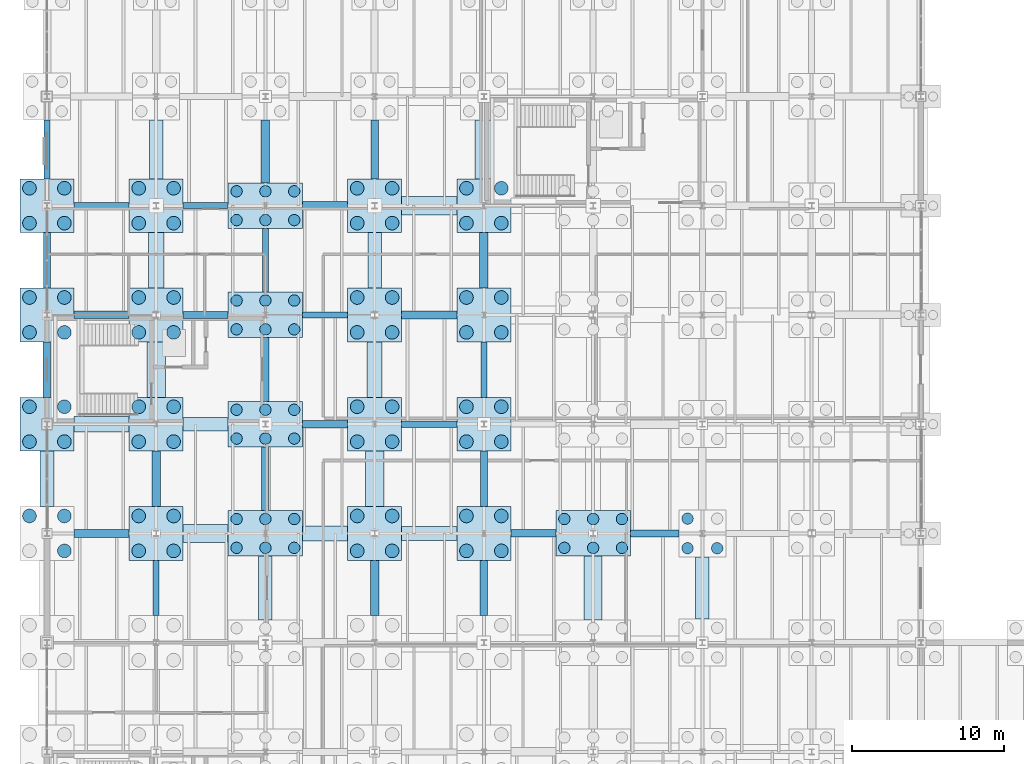
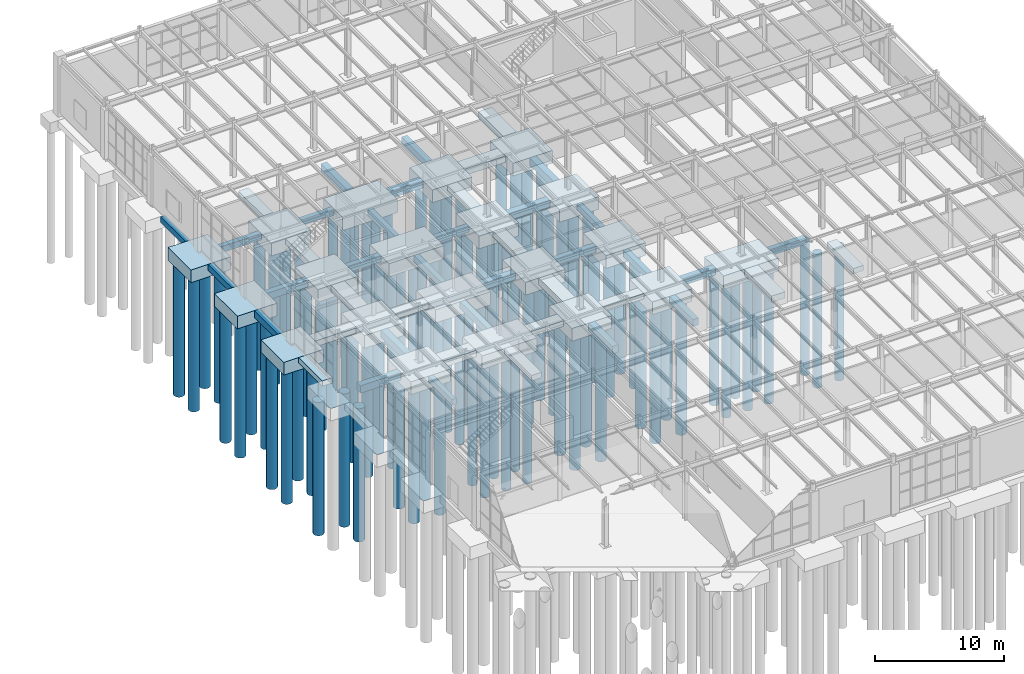
# One storey, part 3 of 293: 96 piles, 64 footings.
"""IFC4 building model written with IfcOpenShell, lengths in metres."""

from ifc_helpers import new_model, si_unit, direction, frame, origin, origin_2d, place, context, subcontext, project, spatial, rectangle, circle, extrude, material, material_profile, profile_set, type_object, element, save


model = new_model("IFC4")

# Units and contexts
model_context = context("Model", 3, precision=1e-05, world=origin(), true_north=direction((0.0, 1.0)))
body_context = subcontext(model_context, "Body", "Model", "MODEL_VIEW")
ifc_project = project(units=[si_unit("LENGTHUNIT", "METRE"), si_unit("AREAUNIT", "SQUARE_METRE"), si_unit("VOLUMEUNIT", "CUBIC_METRE"), si_unit("PLANEANGLEUNIT", "RADIAN"), si_unit("MASSUNIT", "GRAM", prefix="KILO")], contexts=[model_context])

# Site, building, storey
site_placement = place(None, origin())
site = spatial("IfcSite", under=ifc_project, at=site_placement, CompositionType="ELEMENT")
building_placement = place(site_placement, origin())
building = spatial("IfcBuilding", under=site, at=building_placement, Name="Kemerveld Promenade Tramway Depot", CompositionType="ELEMENT")
storey_placement = place(building_placement, origin())
storey = spatial("IfcBuildingStorey", under=building, at=storey_placement, Name="L00", CompositionType="ELEMENT", Elevation=0.0)

# Footings
ifc_material = material(Name="Concrete C35/45", Category="concrete")
footing_type_1 = type_object("IfcFootingType", Name="FT-GB01", PredefinedType="FOOTING_BEAM", material=ifc_material)
for number, where, z_axis, x_axis, name in (
    (1, (32.0625, 36.0, -0.949951171875), (0.0, 0.0, 1.0), (1.0, 0.0, 0.0), "GBX-05-06-F"),
    (2, (18.33740234375, 43.199951171875, -0.949951171875), (0.0, 0.0, 1.0), (1.0, 0.0, 0.0), "GBX-03-04-G"),
):
    element("IfcFooting", number, at=place(storey_placement, frame(where, z_axis=z_axis, x_axis=x_axis)), inside=storey, type_object=footing_type_1, Name=name, PredefinedType="FOOTING_BEAM", context=body_context, shape_type="SweptSolid", body=[
        extrude(rectangle(XDim=2.97509765625, YDim=0.5, at=origin_2d()), origin(), (0.0, 0.0, 1.0), 0.64990234375),
    ])
for number, where, z_axis, x_axis, name in (
    (3, (3.60009765625, 50.39990234375, -0.949951171875), (0.0, 0.0, 1.0), (1.0, 0.0, 0.0), "GBX-01-02-H"),
    (4, (0.0, 46.800048828125, -0.949951171875), (0.0, 0.0, 1.0), (0.0, 1.0, 0.0), "GBY-01-G-H"),
):
    element("IfcFooting", number, at=place(storey_placement, frame(where, z_axis=z_axis, x_axis=x_axis)), inside=storey, type_object=footing_type_1, Name=name, PredefinedType="FOOTING_BEAM", context=body_context, shape_type="SweptSolid", body=[
        extrude(rectangle(XDim=3.64990234375, YDim=0.5, at=origin_2d()), origin(), (0.0, 0.0, 1.0), 0.64990234375),
    ])
footing_1_placement = place(storey_placement, frame((14.39990234375, 39.60009765625, -0.949951171875), z_axis=(0.0, 0.0, 1.0), x_axis=(0.0, 1.0, 0.0)))
element("IfcFooting", 5, at=footing_1_placement, inside=storey, type_object=footing_type_1, Name="GBY-03-F-G", PredefinedType="FOOTING_BEAM", context=body_context, shape_type="SweptSolid", body=[
    extrude(rectangle(XDim=4.199951171875, YDim=0.5, at=origin_2d()), origin(), (0.0, 0.0, 1.0), 0.64990234375),
])
footing_2_placement = place(storey_placement, frame((21.60009765625, 61.3125, -0.949951171875), z_axis=(0.0, 0.0, 1.0), x_axis=(0.0, 1.0, 0.0)))
element("IfcFooting", 6, at=footing_2_placement, inside=storey, type_object=footing_type_1, Name="GBY-04-J-K", PredefinedType="FOOTING_BEAM", context=body_context, shape_type="SweptSolid", body=[
    extrude(rectangle(XDim=3.875, YDim=0.5, at=origin_2d()), origin(), (0.0, 0.0, 1.0), 0.64990234375),
])
footing_3_placement = place(storey_placement, frame((28.800048828125, 32.39990234375, -0.949951171875), z_axis=(0.0, 0.0, 1.0), x_axis=(0.0, 1.0, 0.0)))
element("IfcFooting", 7, at=footing_3_placement, inside=storey, type_object=footing_type_1, Name="GBY-05-E-F", PredefinedType="FOOTING_BEAM", context=body_context, shape_type="SweptSolid", body=[
    extrude(rectangle(XDim=3.64990234375, YDim=0.5, at=origin_2d()), origin(), (0.0, 0.0, 1.0), 0.64990234375),
])
footing_type_2 = type_object("IfcFootingType", Name="FT-GB02", PredefinedType="FOOTING_BEAM", material=ifc_material)
footing_4_placement = place(storey_placement, frame((40.050048828125, 36.0, -0.900146484375), z_axis=(0.0, 0.0, 1.0), x_axis=(1.0, 0.0, 0.0)))
element("IfcFooting", 8, at=footing_4_placement, inside=storey, type_object=footing_type_2, Name="GBX-06-07-F", PredefinedType="FOOTING_BEAM", context=body_context, shape_type="SweptSolid", body=[
    extrude(rectangle(XDim=3.199951171875, YDim=0.449951171875, at=origin_2d()), origin(), (0.0, 0.0, 1.0), 0.60009765625),
])
footing_5_placement = place(storey_placement, frame((25.199951171875, 43.199951171875, -0.900146484375), z_axis=(0.0, 0.0, 1.0), x_axis=(1.0, 0.0, 0.0)))
element("IfcFooting", 9, at=footing_5_placement, inside=storey, type_object=footing_type_2, Name="GBX-04-05-G", PredefinedType="FOOTING_BEAM", context=body_context, shape_type="SweptSolid", body=[
    extrude(rectangle(XDim=3.64990234375, YDim=0.449951171875, at=origin_2d()), origin(), (0.0, 0.0, 1.0), 0.60009765625),
])
footing_6_placement = place(storey_placement, frame((10.46240234375, 50.39990234375, -0.900146484375), z_axis=(0.0, 0.0, 1.0), x_axis=(1.0, 0.0, 0.0)))
element("IfcFooting", 10, at=footing_6_placement, inside=storey, type_object=footing_type_2, Name="GBX-02-03-H", PredefinedType="FOOTING_BEAM", context=body_context, shape_type="SweptSolid", body=[
    extrude(rectangle(XDim=2.97509765625, YDim=0.449951171875, at=origin_2d()), origin(), (0.0, 0.0, 1.0), 0.60009765625),
])
for number, where, z_axis, x_axis, name in (
    (11, (3.60009765625, 57.60009765625, -0.900146484375), (0.0, 0.0, 1.0), (1.0, 0.0, 0.0), "GBX-01-02-J"),
    (12, (0.0, 54.0, -0.900146484375), (0.0, 0.0, 1.0), (0.0, 1.0, 0.0), "GBY-01-H-J"),
):
    element("IfcFooting", number, at=place(storey_placement, frame(where, z_axis=z_axis, x_axis=x_axis)), inside=storey, type_object=footing_type_2, Name=name, PredefinedType="FOOTING_BEAM", context=body_context, shape_type="SweptSolid", body=[
        extrude(rectangle(XDim=3.64990234375, YDim=0.449951171875, at=origin_2d()), origin(), (0.0, 0.0, 1.0), 0.60009765625),
    ])
footing_7_placement = place(storey_placement, frame((14.39990234375, 46.800048828125, -0.900146484375), z_axis=(0.0, 0.0, 1.0), x_axis=(0.0, 1.0, 0.0)))
element("IfcFooting", 13, at=footing_7_placement, inside=storey, type_object=footing_type_2, Name="GBY-03-G-H", PredefinedType="FOOTING_BEAM", context=body_context, shape_type="SweptSolid", body=[
    extrude(rectangle(XDim=4.199951171875, YDim=0.449951171875, at=origin_2d()), origin(), (0.0, 0.0, 1.0), 0.60009765625),
])
footing_8_placement = place(storey_placement, frame((28.800048828125, 39.60009765625, -0.900146484375), z_axis=(0.0, 0.0, 1.0), x_axis=(0.0, 1.0, 0.0)))
element("IfcFooting", 14, at=footing_8_placement, inside=storey, type_object=footing_type_2, Name="GBY-05-F-G", PredefinedType="FOOTING_BEAM", context=body_context, shape_type="SweptSolid", body=[
    extrude(rectangle(XDim=3.64990234375, YDim=0.449951171875, at=origin_2d()), origin(), (0.0, 0.0, 1.0), 0.60009765625),
])
footing_type_3 = type_object("IfcFootingType", Name="FT-GB03", PredefinedType="FOOTING_BEAM", material=ifc_material)
for number, where, z_axis, x_axis, name in (
    (15, (18.33740234375, 50.39990234375, -0.85009765625), (0.0, 0.0, 1.0), (1.0, 0.0, 0.0), "GBX-03-04-H"),
    (16, (10.46240234375, 57.60009765625, -0.85009765625), (0.0, 0.0, 1.0), (1.0, 0.0, 0.0), "GBX-02-03-J"),
):
    element("IfcFooting", number, at=place(storey_placement, frame(where, z_axis=z_axis, x_axis=x_axis)), inside=storey, type_object=footing_type_3, Name=name, PredefinedType="FOOTING_BEAM", context=body_context, shape_type="SweptSolid", body=[
        extrude(rectangle(XDim=2.97509765625, YDim=0.39990234375, at=origin_2d()), origin(), (0.0, 0.0, 1.0), 0.550048828125),
    ])
footing_9_placement = place(storey_placement, frame((0.0, 61.3125, -0.85009765625), z_axis=(0.0, 0.0, 1.0), x_axis=(0.0, 1.0, 0.0)))
element("IfcFooting", 17, at=footing_9_placement, inside=storey, type_object=footing_type_3, Name="GBY-01-J-K", PredefinedType="FOOTING_BEAM", context=body_context, shape_type="SweptSolid", body=[
    extrude(rectangle(XDim=3.875, YDim=0.39990234375, at=origin_2d()), origin(), (0.0, 0.0, 1.0), 0.550048828125),
])
footing_10_placement = place(storey_placement, frame((7.199951171875, 32.39990234375, -0.85009765625), z_axis=(0.0, 0.0, 1.0), x_axis=(0.0, 1.0, 0.0)))
element("IfcFooting", 18, at=footing_10_placement, inside=storey, type_object=footing_type_3, Name="GBY-02-E-F", PredefinedType="FOOTING_BEAM", context=body_context, shape_type="SweptSolid", body=[
    extrude(rectangle(XDim=3.64990234375, YDim=0.39990234375, at=origin_2d()), origin(), (0.0, 0.0, 1.0), 0.550048828125),
])
footing_11_placement = place(storey_placement, frame((14.39990234375, 54.0, -0.85009765625), z_axis=(0.0, 0.0, 1.0), x_axis=(0.0, 1.0, 0.0)))
element("IfcFooting", 19, at=footing_11_placement, inside=storey, type_object=footing_type_3, Name="GBY-03-H-J", PredefinedType="FOOTING_BEAM", context=body_context, shape_type="SweptSolid", body=[
    extrude(rectangle(XDim=4.199951171875, YDim=0.39990234375, at=origin_2d()), origin(), (0.0, 0.0, 1.0), 0.550048828125),
])
footing_12_placement = place(storey_placement, frame((28.800048828125, 46.800048828125, -0.85009765625), z_axis=(0.0, 0.0, 1.0), x_axis=(0.0, 1.0, 0.0)))
element("IfcFooting", 20, at=footing_12_placement, inside=storey, type_object=footing_type_3, Name="GBY-05-G-H", PredefinedType="FOOTING_BEAM", context=body_context, shape_type="SweptSolid", body=[
    extrude(rectangle(XDim=3.64990234375, YDim=0.39990234375, at=origin_2d()), origin(), (0.0, 0.0, 1.0), 0.550048828125),
])
footing_type_4 = type_object("IfcFootingType", Name="FT-GB04", PredefinedType="FOOTING_BEAM", material=ifc_material)
for number, where, z_axis, x_axis, name in (
    (21, (3.60009765625, 36.0, -1.0), (0.0, 0.0, 1.0), (1.0, 0.0, 0.0), "GBX-01-02-F"),
    (22, (25.199951171875, 50.39990234375, -1.0), (0.0, 0.0, 1.0), (1.0, 0.0, 0.0), "GBX-04-05-H"),
):
    element("IfcFooting", number, at=place(storey_placement, frame(where, z_axis=z_axis, x_axis=x_axis)), inside=storey, type_object=footing_type_4, Name=name, PredefinedType="FOOTING_BEAM", context=body_context, shape_type="SweptSolid", body=[
        extrude(rectangle(XDim=3.64990234375, YDim=0.550048828125, at=origin_2d()), origin(), (0.0, 0.0, 1.0), 0.699951171875),
    ])
footing_13_placement = place(storey_placement, frame((18.33740234375, 57.60009765625, -1.0), z_axis=(0.0, 0.0, 1.0), x_axis=(1.0, 0.0, 0.0)))
element("IfcFooting", 23, at=footing_13_placement, inside=storey, type_object=footing_type_4, Name="GBX-03-04-J", PredefinedType="FOOTING_BEAM", context=body_context, shape_type="SweptSolid", body=[
    extrude(rectangle(XDim=2.97509765625, YDim=0.550048828125, at=origin_2d()), origin(), (0.0, 0.0, 1.0), 0.699951171875),
])
footing_14_placement = place(storey_placement, frame((7.199951171875, 39.60009765625, -1.0), z_axis=(0.0, 0.0, 1.0), x_axis=(0.0, 1.0, 0.0)))
element("IfcFooting", 24, at=footing_14_placement, inside=storey, type_object=footing_type_4, Name="GBY-02-F-G", PredefinedType="FOOTING_BEAM", context=body_context, shape_type="SweptSolid", body=[
    extrude(rectangle(XDim=3.64990234375, YDim=0.550048828125, at=origin_2d()), origin(), (0.0, 0.0, 1.0), 0.699951171875),
])
footing_15_placement = place(storey_placement, frame((14.39990234375, 61.175048828125, -1.0), z_axis=(0.0, 0.0, 1.0), x_axis=(0.0, 1.0, 0.0)))
element("IfcFooting", 25, at=footing_15_placement, inside=storey, type_object=footing_type_4, Name="GBY-03-J-K", PredefinedType="FOOTING_BEAM", context=body_context, shape_type="SweptSolid", body=[
    extrude(rectangle(XDim=4.14990234375, YDim=0.550048828125, at=origin_2d()), origin(), (0.0, 0.0, 1.0), 0.699951171875),
])
for number, where, z_axis, x_axis, name in (
    (26, (21.60009765625, 32.39990234375, -1.0), (0.0, 0.0, 1.0), (0.0, 1.0, 0.0), "GBY-04-E-F"),
    (27, (28.800048828125, 54.0, -1.0), (0.0, 0.0, 1.0), (0.0, 1.0, 0.0), "GBY-05-H-J"),
):
    element("IfcFooting", number, at=place(storey_placement, frame(where, z_axis=z_axis, x_axis=x_axis)), inside=storey, type_object=footing_type_4, Name=name, PredefinedType="FOOTING_BEAM", context=body_context, shape_type="SweptSolid", body=[
        extrude(rectangle(XDim=3.64990234375, YDim=0.550048828125, at=origin_2d()), origin(), (0.0, 0.0, 1.0), 0.699951171875),
    ])
footing_type_5 = type_object("IfcFootingType", Name="FT-PC03", PredefinedType="PILE_CAP", material=ifc_material)
for number, where, z_axis, x_axis, name in (
    (28, (0.0, 43.199951171875, -1.5), (0.0, 0.0, 1.0), (1.0, 0.0, 0.0), "FT-01-G"),
    (29, (0.0, 50.39990234375, -1.5), (0.0, 0.0, 1.0), (1.0, 0.0, 0.0), "FT-01-H"),
    (30, (0.0, 57.60009765625, -1.5), (0.0, 0.0, 1.0), (1.0, 0.0, 0.0), "FT-01-J"),
    (31, (7.199951171875, 36.0, -1.5), (0.0, 0.0, 1.0), (1.0, 0.0, 0.0), "FT-02-F"),
    (32, (7.199951171875, 43.199951171875, -1.5), (0.0, 0.0, 1.0), (1.0, 0.0, 0.0), "FT-02-G"),
    (33, (7.199951171875, 50.39990234375, -1.5), (0.0, 0.0, 1.0), (1.0, 0.0, 0.0), "FT-02-H"),
    (34, (7.199951171875, 57.60009765625, -1.5), (0.0, 0.0, 1.0), (1.0, 0.0, 0.0), "FT-02-J"),
    (35, (21.60009765625, 36.0, -1.5), (0.0, 0.0, 1.0), (1.0, 0.0, 0.0), "FT-04-F"),
    (36, (21.60009765625, 43.199951171875, -1.5), (0.0, 0.0, 1.0), (1.0, 0.0, 0.0), "FT-04-G"),
    (37, (21.60009765625, 50.39990234375, -1.5), (0.0, 0.0, 1.0), (1.0, 0.0, 0.0), "FT-04-H"),
    (38, (21.60009765625, 57.60009765625, -1.5), (0.0, 0.0, 1.0), (1.0, 0.0, 0.0), "FT-04-J"),
    (39, (28.800048828125, 36.0, -1.5), (0.0, 0.0, 1.0), (1.0, 0.0, 0.0), "FT-05-F"),
    (40, (28.800048828125, 43.199951171875, -1.5), (0.0, 0.0, 1.0), (1.0, 0.0, 0.0), "FT-05-G"),
    (41, (28.800048828125, 50.39990234375, -1.5), (0.0, 0.0, 1.0), (1.0, 0.0, 0.0), "FT-05-H"),
    (42, (28.800048828125, 57.60009765625, -1.5), (0.0, 0.0, 1.0), (1.0, 0.0, 0.0), "FT-05-J"),
):
    element("IfcFooting", number, at=place(storey_placement, frame(where, z_axis=z_axis, x_axis=x_axis)), inside=storey, type_object=footing_type_5, Name=name, PredefinedType="PILE_CAP", context=body_context, shape_type="SweptSolid", body=[
        extrude(rectangle(XDim=3.550048828125, YDim=3.550048828125, at=origin_2d()), origin(), (0.0, 0.0, 1.0), 1.199951171875),
    ])
footing_type_6 = type_object("IfcFootingType", Name="FT-PC10", PredefinedType="PILE_CAP", material=ifc_material)
for number, where, z_axis, x_axis, name in (
    (43, (14.39990234375, 36.0, -1.550048828125), (0.0, 0.0, 1.0), (1.0, 0.0, 0.0), "FT-03-F"),
    (44, (14.39990234375, 43.199951171875, -1.550048828125), (0.0, 0.0, 1.0), (1.0, 0.0, 0.0), "FT-03-G"),
    (45, (14.39990234375, 50.39990234375, -1.550048828125), (0.0, 0.0, 1.0), (1.0, 0.0, 0.0), "FT-03-H"),
    (46, (14.39990234375, 57.60009765625, -1.550048828125), (0.0, 0.0, 1.0), (1.0, 0.0, 0.0), "FT-03-J"),
    (47, (36.0, 36.0, -1.550048828125), (0.0, 0.0, 1.0), (1.0, 0.0, 0.0), "FT-06-F"),
):
    element("IfcFooting", number, at=place(storey_placement, frame(where, z_axis=z_axis, x_axis=x_axis)), inside=storey, type_object=footing_type_6, Name=name, PredefinedType="PILE_CAP", context=body_context, shape_type="SweptSolid", body=[
        extrude(rectangle(XDim=4.89990234375, YDim=3.0, at=origin_2d()), origin(), (0.0, 0.0, 1.0), 1.25),
    ])
footing_type_7 = type_object("IfcFootingType", Name="FT-SF01", PredefinedType="STRIP_FOOTING", material=ifc_material)
footing_16_placement = place(storey_placement, frame((10.46240234375, 36.0, -0.900146484375), z_axis=(0.0, 0.0, 1.0), x_axis=(1.0, 0.0, 0.0)))
element("IfcFooting", 48, at=footing_16_placement, inside=storey, type_object=footing_type_7, Name="GBX-02-03-F", PredefinedType="STRIP_FOOTING", context=body_context, shape_type="SweptSolid", body=[
    extrude(rectangle(XDim=2.97509765625, YDim=1.199951171875, at=origin_2d()), origin(), (0.0, 0.0, 1.0), 0.60009765625),
])
for number, where, z_axis, x_axis, name in (
    (49, (25.199951171875, 57.60009765625, -0.900146484375), (0.0, 0.0, 1.0), (1.0, 0.0, 0.0), "GBX-04-05-J"),
    (50, (7.199951171875, 46.800048828125, -0.900146484375), (0.0, 0.0, 1.0), (0.0, 1.0, 0.0), "GBY-02-G-H"),
    (51, (21.60009765625, 39.60009765625, -0.900146484375), (0.0, 0.0, 1.0), (0.0, 1.0, 0.0), "GBY-04-F-G"),
):
    element("IfcFooting", number, at=place(storey_placement, frame(where, z_axis=z_axis, x_axis=x_axis)), inside=storey, type_object=footing_type_7, Name=name, PredefinedType="STRIP_FOOTING", context=body_context, shape_type="SweptSolid", body=[
        extrude(rectangle(XDim=3.64990234375, YDim=1.199951171875, at=origin_2d()), origin(), (0.0, 0.0, 1.0), 0.60009765625),
    ])
footing_17_placement = place(storey_placement, frame((28.800048828125, 61.3125, -0.900146484375), z_axis=(0.0, 0.0, 1.0), x_axis=(0.0, 1.0, 0.0)))
element("IfcFooting", 52, at=footing_17_placement, inside=storey, type_object=footing_type_7, Name="GBY-05-J-K", PredefinedType="STRIP_FOOTING", context=body_context, shape_type="SweptSolid", body=[
    extrude(rectangle(XDim=3.875, YDim=1.199951171875, at=origin_2d()), origin(), (0.0, 0.0, 1.0), 0.60009765625),
])
footing_18_placement = place(storey_placement, frame((36.0, 32.39990234375, -0.900146484375), z_axis=(0.0, 0.0, 1.0), x_axis=(0.0, 1.0, 0.0)))
element("IfcFooting", 53, at=footing_18_placement, inside=storey, type_object=footing_type_7, Name="GBY-06-E-F", PredefinedType="STRIP_FOOTING", context=body_context, shape_type="SweptSolid", body=[
    extrude(rectangle(XDim=4.199951171875, YDim=1.199951171875, at=origin_2d()), origin(), (0.0, 0.0, 1.0), 0.60009765625),
])
footing_type_8 = type_object("IfcFootingType", Name="FT-SF02", PredefinedType="STRIP_FOOTING", material=ifc_material)
footing_19_placement = place(storey_placement, frame((18.33740234375, 36.0, -0.85009765625), z_axis=(0.0, 0.0, 1.0), x_axis=(1.0, 0.0, 0.0)))
element("IfcFooting", 54, at=footing_19_placement, inside=storey, type_object=footing_type_8, Name="GBX-03-04-F", PredefinedType="STRIP_FOOTING", context=body_context, shape_type="SweptSolid", body=[
    extrude(rectangle(XDim=2.97509765625, YDim=1.0, at=origin_2d()), origin(), (0.0, 0.0, 1.0), 0.550048828125),
])
for number, where, z_axis, x_axis, name in (
    (55, (3.60009765625, 43.199951171875, -0.85009765625), (0.0, 0.0, 1.0), (1.0, 0.0, 0.0), "GBX-01-02-G"),
    (56, (7.199951171875, 54.0, -0.85009765625), (0.0, 0.0, 1.0), (0.0, 1.0, 0.0), "GBY-02-H-J"),
    (57, (21.60009765625, 46.800048828125, -0.85009765625), (0.0, 0.0, 1.0), (0.0, 1.0, 0.0), "GBY-04-G-H"),
):
    element("IfcFooting", number, at=place(storey_placement, frame(where, z_axis=z_axis, x_axis=x_axis)), inside=storey, type_object=footing_type_8, Name=name, PredefinedType="STRIP_FOOTING", context=body_context, shape_type="SweptSolid", body=[
        extrude(rectangle(XDim=3.64990234375, YDim=1.0, at=origin_2d()), origin(), (0.0, 0.0, 1.0), 0.550048828125),
    ])
footing_type_9 = type_object("IfcFootingType", Name="FT-SF03", PredefinedType="STRIP_FOOTING", material=ifc_material)
footing_20_placement = place(storey_placement, frame((25.199951171875, 36.0, -0.800048828125), z_axis=(0.0, 0.0, 1.0), x_axis=(1.0, 0.0, 0.0)))
element("IfcFooting", 58, at=footing_20_placement, inside=storey, type_object=footing_type_9, Name="GBX-04-05-F", PredefinedType="STRIP_FOOTING", context=body_context, shape_type="SweptSolid", body=[
    extrude(rectangle(XDim=3.64990234375, YDim=0.89990234375, at=origin_2d()), origin(), (0.0, 0.0, 1.0), 0.5),
])
footing_21_placement = place(storey_placement, frame((10.46240234375, 43.199951171875, -0.800048828125), z_axis=(0.0, 0.0, 1.0), x_axis=(1.0, 0.0, 0.0)))
element("IfcFooting", 59, at=footing_21_placement, inside=storey, type_object=footing_type_9, Name="GBX-02-03-G", PredefinedType="STRIP_FOOTING", context=body_context, shape_type="SweptSolid", body=[
    extrude(rectangle(XDim=2.97509765625, YDim=0.89990234375, at=origin_2d()), origin(), (0.0, 0.0, 1.0), 0.5),
])
footing_22_placement = place(storey_placement, frame((0.0, 39.60009765625, -0.800048828125), z_axis=(0.0, 0.0, 1.0), x_axis=(0.0, 1.0, 0.0)))
element("IfcFooting", 60, at=footing_22_placement, inside=storey, type_object=footing_type_9, Name="GBY-01-F-G", PredefinedType="STRIP_FOOTING", context=body_context, shape_type="SweptSolid", body=[
    extrude(rectangle(XDim=3.64990234375, YDim=0.89990234375, at=origin_2d()), origin(), (0.0, 0.0, 1.0), 0.5),
])
footing_23_placement = place(storey_placement, frame((7.199951171875, 61.3125, -0.800048828125), z_axis=(0.0, 0.0, 1.0), x_axis=(0.0, 1.0, 0.0)))
element("IfcFooting", 61, at=footing_23_placement, inside=storey, type_object=footing_type_9, Name="GBY-02-J-K", PredefinedType="STRIP_FOOTING", context=body_context, shape_type="SweptSolid", body=[
    extrude(rectangle(XDim=3.875, YDim=0.89990234375, at=origin_2d()), origin(), (0.0, 0.0, 1.0), 0.5),
])
footing_24_placement = place(storey_placement, frame((14.39990234375, 32.39990234375, -0.800048828125), z_axis=(0.0, 0.0, 1.0), x_axis=(0.0, 1.0, 0.0)))
element("IfcFooting", 62, at=footing_24_placement, inside=storey, type_object=footing_type_9, Name="GBY-03-E-F", PredefinedType="STRIP_FOOTING", context=body_context, shape_type="SweptSolid", body=[
    extrude(rectangle(XDim=4.199951171875, YDim=0.89990234375, at=origin_2d()), origin(), (0.0, 0.0, 1.0), 0.5),
])
footing_25_placement = place(storey_placement, frame((21.60009765625, 54.0, -0.800048828125), z_axis=(0.0, 0.0, 1.0), x_axis=(0.0, 1.0, 0.0)))
element("IfcFooting", 63, at=footing_25_placement, inside=storey, type_object=footing_type_9, Name="GBY-04-H-J", PredefinedType="STRIP_FOOTING", context=body_context, shape_type="SweptSolid", body=[
    extrude(rectangle(XDim=3.64990234375, YDim=0.89990234375, at=origin_2d()), origin(), (0.0, 0.0, 1.0), 0.5),
])
footing_26_placement = place(storey_placement, frame((43.199951171875, 32.39990234375, -0.800048828125), z_axis=(0.0, 0.0, 1.0), x_axis=(0.0, 1.0, 0.0)))
element("IfcFooting", 64, at=footing_26_placement, inside=storey, type_object=footing_type_9, Name="GBY-07-E-F", PredefinedType="STRIP_FOOTING", context=body_context, shape_type="SweptSolid", body=[
    extrude(rectangle(XDim=4.10009765625, YDim=0.89990234375, at=origin_2d()), origin(), (0.0, 0.0, 1.0), 0.5),
])

# Piles
ifc_material_profile_1 = material_profile(ifc_material, circle(Radius=0.375, at=origin_2d()), Name="PILE-D750")
ifc_profile_set_1 = profile_set([ifc_material_profile_1], Name="Concrete C35/45")
pile_type_1 = type_object("IfcPileType", Name="PL-BOR-750", PredefinedType="BORED", material=ifc_profile_set_1)
for number, where, z_axis, x_axis, name in (
    (65, (12.5, 35.050048828125, -1.449951171875), (0.0, 0.0, -1.0), (1.0, 0.0, 0.0), "PIL-03-F-1"),
    (66, (14.39990234375, 35.050048828125, -1.449951171875), (0.0, 0.0, -1.0), (1.0, 0.0, 0.0), "PIL-03-F-2"),
    (67, (16.300048828125, 35.050048828125, -1.449951171875), (0.0, 0.0, -1.0), (1.0, 0.0, 0.0), "PIL-03-F-3"),
    (68, (12.5, 36.949951171875, -1.449951171875), (0.0, 0.0, -1.0), (1.0, 0.0, 0.0), "PIL-03-F-4"),
    (69, (14.39990234375, 36.949951171875, -1.449951171875), (0.0, 0.0, -1.0), (1.0, 0.0, 0.0), "PIL-03-F-5"),
    (70, (16.300048828125, 36.949951171875, -1.449951171875), (0.0, 0.0, -1.0), (1.0, 0.0, 0.0), "PIL-03-F-6"),
    (71, (12.5, 42.25, -1.449951171875), (0.0, 0.0, -1.0), (1.0, 0.0, 0.0), "PIL-03-G-1"),
    (72, (14.39990234375, 42.25, -1.449951171875), (0.0, 0.0, -1.0), (1.0, 0.0, 0.0), "PIL-03-G-2"),
    (73, (16.300048828125, 42.25, -1.449951171875), (0.0, 0.0, -1.0), (1.0, 0.0, 0.0), "PIL-03-G-3"),
    (74, (12.5, 44.14990234375, -1.449951171875), (0.0, 0.0, -1.0), (1.0, 0.0, 0.0), "PIL-03-G-4"),
    (75, (14.39990234375, 44.14990234375, -1.449951171875), (0.0, 0.0, -1.0), (1.0, 0.0, 0.0), "PIL-03-G-5"),
    (76, (16.300048828125, 44.14990234375, -1.449951171875), (0.0, 0.0, -1.0), (1.0, 0.0, 0.0), "PIL-03-G-6"),
    (77, (12.5, 49.449951171875, -1.449951171875), (0.0, 0.0, -1.0), (1.0, 0.0, 0.0), "PIL-03-H-1"),
    (78, (14.39990234375, 49.449951171875, -1.449951171875), (0.0, 0.0, -1.0), (1.0, 0.0, 0.0), "PIL-03-H-2"),
    (79, (16.300048828125, 49.449951171875, -1.449951171875), (0.0, 0.0, -1.0), (1.0, 0.0, 0.0), "PIL-03-H-3"),
    (80, (12.5, 51.35009765625, -1.449951171875), (0.0, 0.0, -1.0), (1.0, 0.0, 0.0), "PIL-03-H-4"),
    (81, (14.39990234375, 51.35009765625, -1.449951171875), (0.0, 0.0, -1.0), (1.0, 0.0, 0.0), "PIL-03-H-5"),
    (82, (16.300048828125, 51.35009765625, -1.449951171875), (0.0, 0.0, -1.0), (1.0, 0.0, 0.0), "PIL-03-H-6"),
    (83, (12.5, 56.64990234375, -1.449951171875), (0.0, 0.0, -1.0), (1.0, 0.0, 0.0), "PIL-03-J-1"),
    (84, (14.39990234375, 56.64990234375, -1.449951171875), (0.0, 0.0, -1.0), (1.0, 0.0, 0.0), "PIL-03-J-2"),
    (85, (16.300048828125, 56.64990234375, -1.449951171875), (0.0, 0.0, -1.0), (1.0, 0.0, 0.0), "PIL-03-J-3"),
    (86, (12.5, 58.550048828125, -1.449951171875), (0.0, 0.0, -1.0), (1.0, 0.0, 0.0), "PIL-03-J-4"),
    (87, (14.39990234375, 58.550048828125, -1.449951171875), (0.0, 0.0, -1.0), (1.0, 0.0, 0.0), "PIL-03-J-5"),
    (88, (16.300048828125, 58.550048828125, -1.449951171875), (0.0, 0.0, -1.0), (1.0, 0.0, 0.0), "PIL-03-J-6"),
    (89, (34.10009765625, 35.050048828125, -1.449951171875), (0.0, 0.0, -1.0), (1.0, 0.0, 0.0), "PIL-06-F-1"),
    (90, (36.0, 35.050048828125, -1.449951171875), (0.0, 0.0, -1.0), (1.0, 0.0, 0.0), "PIL-06-F-2"),
    (91, (37.89990234375, 35.050048828125, -1.449951171875), (0.0, 0.0, -1.0), (1.0, 0.0, 0.0), "PIL-06-F-3"),
    (92, (34.10009765625, 36.949951171875, -1.449951171875), (0.0, 0.0, -1.0), (1.0, 0.0, 0.0), "PIL-06-F-4"),
    (93, (36.0, 36.949951171875, -1.449951171875), (0.0, 0.0, -1.0), (1.0, 0.0, 0.0), "PIL-06-F-5"),
    (94, (37.89990234375, 36.949951171875, -1.449951171875), (0.0, 0.0, -1.0), (1.0, 0.0, 0.0), "PIL-06-F-6"),
):
    element("IfcPile", number, at=place(storey_placement, frame(where, z_axis=z_axis, x_axis=x_axis)), inside=storey, type_object=pile_type_1, Name=name, PredefinedType="BORED", context=body_context, shape_type="SweptSolid", body=[
        extrude(circle(Radius=0.375, at=origin_2d()), origin(), (0.0, 0.0, 1.0), 12.550048828125),
    ])
for number, where, z_axis, x_axis, name in (
    (95, (42.22509765625, 35.02490234375, -1.35009765625), (0.0, 0.0, -1.0), (1.0, 0.0, 0.0), "PIL-07-F-1"),
    (96, (44.175048828125, 35.02490234375, -1.35009765625), (0.0, 0.0, -1.0), (1.0, 0.0, 0.0), "PIL-07-F-2"),
    (97, (42.22509765625, 36.97509765625, -1.35009765625), (0.0, 0.0, -1.0), (1.0, 0.0, 0.0), "PIL-07-F-3"),
):
    element("IfcPile", number, at=place(storey_placement, frame(where, z_axis=z_axis, x_axis=x_axis)), inside=storey, type_object=pile_type_1, Name=name, PredefinedType="BORED", context=body_context, shape_type="SweptSolid", body=[
        extrude(circle(Radius=0.375, at=origin_2d()), origin(), (0.0, 0.0, 1.0), 12.64990234375),
    ])
ifc_material_profile_2 = material_profile(ifc_material, circle(Radius=0.449951171875, at=origin_2d()), Name="PILE-D900")
ifc_profile_set_2 = profile_set([ifc_material_profile_2], Name="Concrete C35/45")
pile_type_2 = type_object("IfcPileType", Name="PL-BOR-900", PredefinedType="BORED", material=ifc_profile_set_2)
for number, where, z_axis, x_axis, name in (
    (98, (1.14990234375, 34.85009765625, -1.39990234375), (0.0, 0.0, -1.0), (1.0, 0.0, 0.0), "PIL-01-F-2"),
    (99, (-1.14990234375, 37.14990234375, -1.39990234375), (0.0, 0.0, -1.0), (1.0, 0.0, 0.0), "PIL-01-F-3"),
    (100, (1.14990234375, 37.14990234375, -1.39990234375), (0.0, 0.0, -1.0), (1.0, 0.0, 0.0), "PIL-01-F-4"),
    (101, (-1.14990234375, 42.050048828125, -1.39990234375), (0.0, 0.0, -1.0), (1.0, 0.0, 0.0), "PIL-01-G-1"),
    (102, (1.14990234375, 42.050048828125, -1.39990234375), (0.0, 0.0, -1.0), (1.0, 0.0, 0.0), "PIL-01-G-2"),
    (103, (-1.14990234375, 44.35009765625, -1.39990234375), (0.0, 0.0, -1.0), (1.0, 0.0, 0.0), "PIL-01-G-3"),
    (104, (1.14990234375, 44.35009765625, -1.39990234375), (0.0, 0.0, -1.0), (1.0, 0.0, 0.0), "PIL-01-G-4"),
    (105, (-1.14990234375, 49.25, -1.39990234375), (0.0, 0.0, -1.0), (1.0, 0.0, 0.0), "PIL-01-H-1"),
    (106, (1.14990234375, 49.25, -1.39990234375), (0.0, 0.0, -1.0), (1.0, 0.0, 0.0), "PIL-01-H-2"),
    (107, (-1.14990234375, 51.550048828125, -1.39990234375), (0.0, 0.0, -1.0), (1.0, 0.0, 0.0), "PIL-01-H-3"),
    (108, (1.14990234375, 51.550048828125, -1.39990234375), (0.0, 0.0, -1.0), (1.0, 0.0, 0.0), "PIL-01-H-4"),
    (109, (-1.14990234375, 56.449951171875, -1.39990234375), (0.0, 0.0, -1.0), (1.0, 0.0, 0.0), "PIL-01-J-1"),
    (110, (1.14990234375, 56.449951171875, -1.39990234375), (0.0, 0.0, -1.0), (1.0, 0.0, 0.0), "PIL-01-J-2"),
    (111, (-1.14990234375, 58.75, -1.39990234375), (0.0, 0.0, -1.0), (1.0, 0.0, 0.0), "PIL-01-J-3"),
    (112, (1.14990234375, 58.75, -1.39990234375), (0.0, 0.0, -1.0), (1.0, 0.0, 0.0), "PIL-01-J-4"),
    (113, (6.050048828125, 34.85009765625, -1.39990234375), (0.0, 0.0, -1.0), (1.0, 0.0, 0.0), "PIL-02-F-1"),
    (114, (8.35009765625, 34.85009765625, -1.39990234375), (0.0, 0.0, -1.0), (1.0, 0.0, 0.0), "PIL-02-F-2"),
    (115, (6.050048828125, 37.14990234375, -1.39990234375), (0.0, 0.0, -1.0), (1.0, 0.0, 0.0), "PIL-02-F-3"),
    (116, (8.35009765625, 37.14990234375, -1.39990234375), (0.0, 0.0, -1.0), (1.0, 0.0, 0.0), "PIL-02-F-4"),
    (117, (6.050048828125, 42.050048828125, -1.39990234375), (0.0, 0.0, -1.0), (1.0, 0.0, 0.0), "PIL-02-G-1"),
    (118, (8.35009765625, 42.050048828125, -1.39990234375), (0.0, 0.0, -1.0), (1.0, 0.0, 0.0), "PIL-02-G-2"),
    (119, (6.050048828125, 44.35009765625, -1.39990234375), (0.0, 0.0, -1.0), (1.0, 0.0, 0.0), "PIL-02-G-3"),
    (120, (8.35009765625, 44.35009765625, -1.39990234375), (0.0, 0.0, -1.0), (1.0, 0.0, 0.0), "PIL-02-G-4"),
    (121, (6.050048828125, 49.25, -1.39990234375), (0.0, 0.0, -1.0), (1.0, 0.0, 0.0), "PIL-02-H-1"),
    (122, (8.35009765625, 49.25, -1.39990234375), (0.0, 0.0, -1.0), (1.0, 0.0, 0.0), "PIL-02-H-2"),
    (123, (6.050048828125, 51.550048828125, -1.39990234375), (0.0, 0.0, -1.0), (1.0, 0.0, 0.0), "PIL-02-H-3"),
    (124, (8.35009765625, 51.550048828125, -1.39990234375), (0.0, 0.0, -1.0), (1.0, 0.0, 0.0), "PIL-02-H-4"),
    (125, (6.050048828125, 56.449951171875, -1.39990234375), (0.0, 0.0, -1.0), (1.0, 0.0, 0.0), "PIL-02-J-1"),
    (126, (8.35009765625, 56.449951171875, -1.39990234375), (0.0, 0.0, -1.0), (1.0, 0.0, 0.0), "PIL-02-J-2"),
    (127, (6.050048828125, 58.75, -1.39990234375), (0.0, 0.0, -1.0), (1.0, 0.0, 0.0), "PIL-02-J-3"),
    (128, (8.35009765625, 58.75, -1.39990234375), (0.0, 0.0, -1.0), (1.0, 0.0, 0.0), "PIL-02-J-4"),
    (129, (20.449951171875, 34.85009765625, -1.39990234375), (0.0, 0.0, -1.0), (1.0, 0.0, 0.0), "PIL-04-F-1"),
    (130, (22.75, 34.85009765625, -1.39990234375), (0.0, 0.0, -1.0), (1.0, 0.0, 0.0), "PIL-04-F-2"),
    (131, (20.449951171875, 37.14990234375, -1.39990234375), (0.0, 0.0, -1.0), (1.0, 0.0, 0.0), "PIL-04-F-3"),
    (132, (22.75, 37.14990234375, -1.39990234375), (0.0, 0.0, -1.0), (1.0, 0.0, 0.0), "PIL-04-F-4"),
    (133, (20.449951171875, 42.050048828125, -1.39990234375), (0.0, 0.0, -1.0), (1.0, 0.0, 0.0), "PIL-04-G-1"),
    (134, (22.75, 42.050048828125, -1.39990234375), (0.0, 0.0, -1.0), (1.0, 0.0, 0.0), "PIL-04-G-2"),
    (135, (20.449951171875, 44.35009765625, -1.39990234375), (0.0, 0.0, -1.0), (1.0, 0.0, 0.0), "PIL-04-G-3"),
    (136, (22.75, 44.35009765625, -1.39990234375), (0.0, 0.0, -1.0), (1.0, 0.0, 0.0), "PIL-04-G-4"),
    (137, (20.449951171875, 49.25, -1.39990234375), (0.0, 0.0, -1.0), (1.0, 0.0, 0.0), "PIL-04-H-1"),
    (138, (22.75, 49.25, -1.39990234375), (0.0, 0.0, -1.0), (1.0, 0.0, 0.0), "PIL-04-H-2"),
    (139, (20.449951171875, 51.550048828125, -1.39990234375), (0.0, 0.0, -1.0), (1.0, 0.0, 0.0), "PIL-04-H-3"),
    (140, (22.75, 51.550048828125, -1.39990234375), (0.0, 0.0, -1.0), (1.0, 0.0, 0.0), "PIL-04-H-4"),
    (141, (20.449951171875, 56.449951171875, -1.39990234375), (0.0, 0.0, -1.0), (1.0, 0.0, 0.0), "PIL-04-J-1"),
    (142, (22.75, 56.449951171875, -1.39990234375), (0.0, 0.0, -1.0), (1.0, 0.0, 0.0), "PIL-04-J-2"),
    (143, (20.449951171875, 58.75, -1.39990234375), (0.0, 0.0, -1.0), (1.0, 0.0, 0.0), "PIL-04-J-3"),
    (144, (22.75, 58.75, -1.39990234375), (0.0, 0.0, -1.0), (1.0, 0.0, 0.0), "PIL-04-J-4"),
    (145, (27.64990234375, 34.85009765625, -1.39990234375), (0.0, 0.0, -1.0), (1.0, 0.0, 0.0), "PIL-05-F-1"),
    (146, (29.949951171875, 34.85009765625, -1.39990234375), (0.0, 0.0, -1.0), (1.0, 0.0, 0.0), "PIL-05-F-2"),
    (147, (27.64990234375, 37.14990234375, -1.39990234375), (0.0, 0.0, -1.0), (1.0, 0.0, 0.0), "PIL-05-F-3"),
    (148, (29.949951171875, 37.14990234375, -1.39990234375), (0.0, 0.0, -1.0), (1.0, 0.0, 0.0), "PIL-05-F-4"),
    (149, (27.64990234375, 42.050048828125, -1.39990234375), (0.0, 0.0, -1.0), (1.0, 0.0, 0.0), "PIL-05-G-1"),
    (150, (29.949951171875, 42.050048828125, -1.39990234375), (0.0, 0.0, -1.0), (1.0, 0.0, 0.0), "PIL-05-G-2"),
    (151, (27.64990234375, 44.35009765625, -1.39990234375), (0.0, 0.0, -1.0), (1.0, 0.0, 0.0), "PIL-05-G-3"),
    (152, (29.949951171875, 44.35009765625, -1.39990234375), (0.0, 0.0, -1.0), (1.0, 0.0, 0.0), "PIL-05-G-4"),
    (153, (27.64990234375, 49.25, -1.39990234375), (0.0, 0.0, -1.0), (1.0, 0.0, 0.0), "PIL-05-H-1"),
    (154, (29.949951171875, 49.25, -1.39990234375), (0.0, 0.0, -1.0), (1.0, 0.0, 0.0), "PIL-05-H-2"),
    (155, (27.64990234375, 51.550048828125, -1.39990234375), (0.0, 0.0, -1.0), (1.0, 0.0, 0.0), "PIL-05-H-3"),
    (156, (29.949951171875, 51.550048828125, -1.39990234375), (0.0, 0.0, -1.0), (1.0, 0.0, 0.0), "PIL-05-H-4"),
    (157, (27.64990234375, 56.449951171875, -1.39990234375), (0.0, 0.0, -1.0), (1.0, 0.0, 0.0), "PIL-05-J-1"),
    (158, (29.949951171875, 56.449951171875, -1.39990234375), (0.0, 0.0, -1.0), (1.0, 0.0, 0.0), "PIL-05-J-2"),
    (159, (27.64990234375, 58.75, -1.39990234375), (0.0, 0.0, -1.0), (1.0, 0.0, 0.0), "PIL-05-J-3"),
    (160, (29.949951171875, 58.75, -1.39990234375), (0.0, 0.0, -1.0), (1.0, 0.0, 0.0), "PIL-05-J-4"),
):
    element("IfcPile", number, at=place(storey_placement, frame(where, z_axis=z_axis, x_axis=x_axis)), inside=storey, type_object=pile_type_2, Name=name, PredefinedType="BORED", context=body_context, shape_type="SweptSolid", body=[
        extrude(circle(Radius=0.449951171875, at=origin_2d()), origin(), (0.0, 0.0, 1.0), 12.60009765625),
    ])

save(model, "model.ifc")
